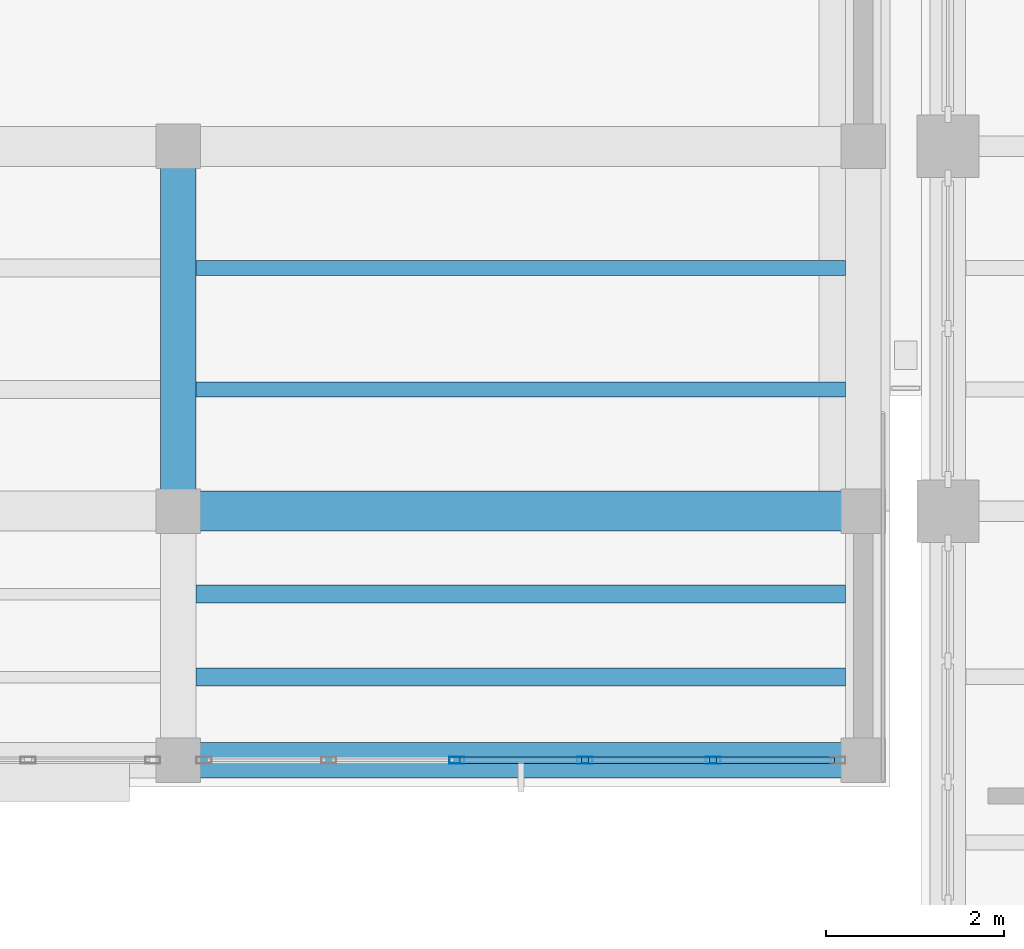
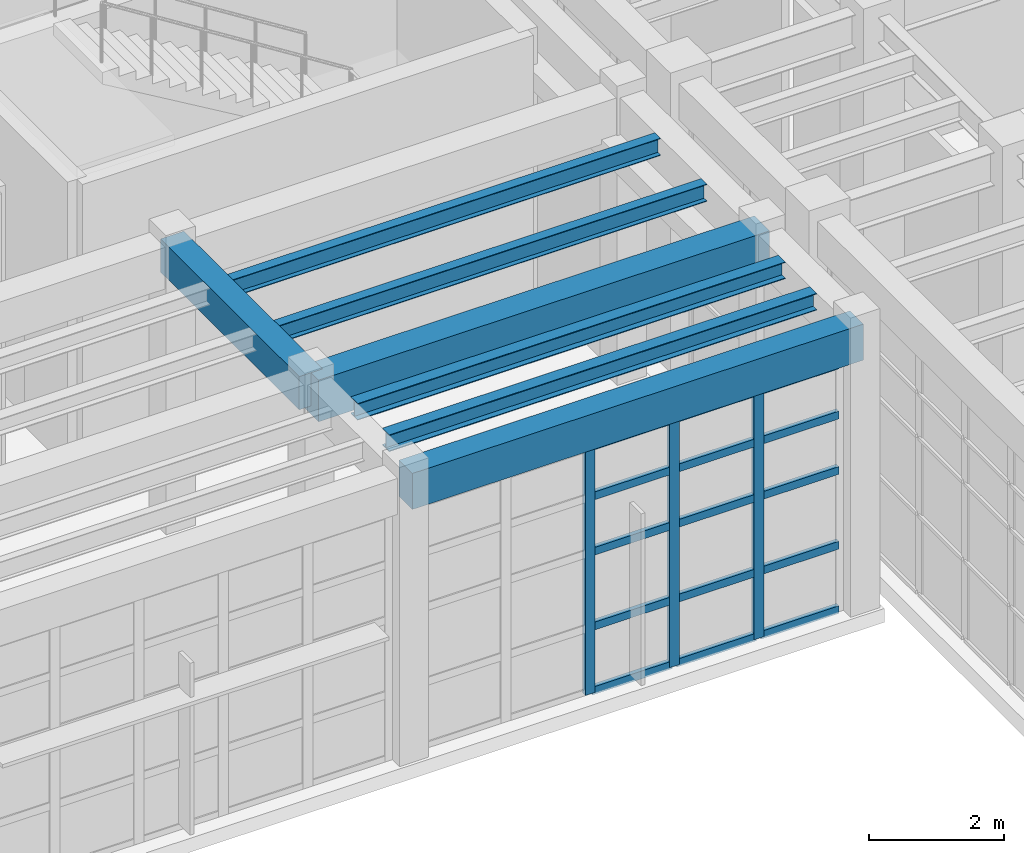
# One storey, part 30 of 103: 18 members, 7 beams, 1 element without a shape of its own.
"""IFC4 building model written with IfcOpenShell, lengths in metres."""

from ifc_helpers import new_model, si_unit, direction, frame, origin, origin_2d, place, context, subcontext, project, spatial, rectangle, hollow_rectangle, i_section, extrude, material, layer, layer_set, material_profile, profile_set, type_object, element, aggregate, save


model = new_model("IFC4")

# Units and contexts
model_context = context("Model", 3, precision=1e-05, world=origin(), true_north=direction((0.0, 1.0)))
body_context = subcontext(model_context, "Body", "Model", "MODEL_VIEW")
ifc_project = project(units=[si_unit("LENGTHUNIT", "METRE"), si_unit("AREAUNIT", "SQUARE_METRE"), si_unit("VOLUMEUNIT", "CUBIC_METRE"), si_unit("PLANEANGLEUNIT", "RADIAN"), si_unit("MASSUNIT", "GRAM", prefix="KILO")], contexts=[model_context])

# Site, building, storey
site_placement = place(None, origin())
site = spatial("IfcSite", under=ifc_project, at=site_placement, CompositionType="ELEMENT")
building_placement = place(site_placement, origin())
building = spatial("IfcBuilding", under=site, at=building_placement, Name="Candilejo Ridge Gondola Terminal", CompositionType="ELEMENT")
storey_placement = place(building_placement, frame((0.0, 0.0, 9.0)))
storey = spatial("IfcBuildingStorey", under=building, at=storey_placement, Name="L02", CompositionType="ELEMENT", Elevation=9.0)

# Curtain wall, members
ifc_material_1 = material(Name="Anodised aluminium AA 6063-T6", Category="aluminium")
ifc_layer = layer(ifc_material_1, 0.169921875)
ifc_layer_set = layer_set([ifc_layer], Name="ARC-CW-CONCOURSE-3600-720X449")
curtain_wall_type = type_object("IfcCurtainWallType", Name="ARC-CW-CONCOURSE-3600-720X449", PredefinedType="NOTDEFINED", material=ifc_layer_set)
curtain_wall_placement = place(storey_placement, origin())
curtain_wall = element("IfcCurtainWall", 1, at=curtain_wall_placement, inside=storey, type_object=curtain_wall_type, Name="Curtain wall V3 L02-093", PredefinedType="NOTDEFINED")
ifc_material_2 = material(Name="Anodised aluminium AA 6063-T6", Category="aluminium")
ifc_material_profile_1 = material_profile(ifc_material_2, hollow_rectangle(XDim=0.074951171875, YDim=0.169921875, WallThickness=0.00390625, at=origin_2d()))
ifc_profile_set_1 = profile_set([ifc_material_profile_1], Name="Anodised aluminium AA 6063-T6")
member_type_1 = type_object("IfcMemberType", Name="ARC-CW-MULLION", PredefinedType="MULLION", material=ifc_profile_set_1)
member_1_placement = place(storey_placement, frame((128.3798828125, 22.89990234375, 0.0), z_axis=(0.0, 0.0, 1.0), x_axis=(0.0, 1.0, 0.0)))
member_1 = element("IfcMember", 2, at=member_1_placement, type_object=member_type_1, Name="CW-72X44 mullion 3", PredefinedType="MULLION", context=body_context, shape_type="SweptSolid", body=[
    extrude(hollow_rectangle(XDim=0.074951171875, YDim=0.169921875, WallThickness=0.00390625, at=origin_2d()), origin(), (0.0, 0.0, 1.0), 4.489990234375),
])
member_2_placement = place(storey_placement, frame((129.820068359375, 22.89990234375, 0.0), z_axis=(0.0, 0.0, 1.0), x_axis=(0.0, 1.0, 0.0)))
member_2 = element("IfcMember", 3, at=member_2_placement, type_object=member_type_1, Name="CW-72X44 mullion 4", PredefinedType="MULLION", context=body_context, shape_type="SweptSolid", body=[
    extrude(hollow_rectangle(XDim=0.074951171875, YDim=0.169921875, WallThickness=0.00390625, at=origin_2d()), origin(), (0.0, 0.0, 1.0), 4.489990234375),
])
member_3_placement = place(storey_placement, frame((131.260009765625, 22.89990234375, 0.0), z_axis=(0.0, 0.0, 1.0), x_axis=(0.0, 1.0, 0.0)))
member_3 = element("IfcMember", 4, at=member_3_placement, type_object=member_type_1, Name="CW-72X44 mullion 5", PredefinedType="MULLION", context=body_context, shape_type="SweptSolid", body=[
    extrude(hollow_rectangle(XDim=0.074951171875, YDim=0.169921875, WallThickness=0.00390625, at=origin_2d()), origin(), (0.0, 0.0, 1.0), 4.489990234375),
])
ifc_material_3 = material(Name="Anodised aluminium AA 6063-T6", Category="aluminium")
ifc_material_profile_2 = material_profile(ifc_material_3, hollow_rectangle(XDim=0.074951171875, YDim=0.139892578125, WallThickness=0.00390625, at=origin_2d()))
ifc_profile_set_2 = profile_set([ifc_material_profile_2], Name="Anodised aluminium AA 6063-T6")
member_type_2 = type_object("IfcMemberType", Name="ARC-CW-TRANSOM", PredefinedType="USERDEFINED", material=ifc_profile_set_2)
member_4_placement = place(storey_placement, frame((128.41748046875, 22.89990234375, 0.03759765625), z_axis=(1.0, 0.0, 0.0), x_axis=(0.0, 1.0, 0.0)))
member_4 = element("IfcMember", 5, at=member_4_placement, type_object=member_type_2, Name="CW-72X44 transom 3.1", ObjectType="TRANSOM", PredefinedType="USERDEFINED", context=body_context, shape_type="SweptSolid", body=[
    extrude(hollow_rectangle(XDim=0.074951171875, YDim=0.139892578125, WallThickness=0.00390625, at=origin_2d()), origin(), (0.0, 0.0, 1.0), 1.364990234375),
])
member_5_placement = place(storey_placement, frame((128.41748046875, 22.89990234375, 1.199951171875), z_axis=(1.0, 0.0, 0.0), x_axis=(0.0, 1.0, 0.0)))
member_5 = element("IfcMember", 6, at=member_5_placement, type_object=member_type_2, Name="CW-72X44 transom 3.2", ObjectType="TRANSOM", PredefinedType="USERDEFINED", context=body_context, shape_type="SweptSolid", body=[
    extrude(hollow_rectangle(XDim=0.074951171875, YDim=0.139892578125, WallThickness=0.00390625, at=origin_2d()), origin(), (0.0, 0.0, 1.0), 1.364990234375),
])
member_6_placement = place(storey_placement, frame((128.41748046875, 22.89990234375, 2.550048828125), z_axis=(1.0, 0.0, 0.0), x_axis=(0.0, 1.0, 0.0)))
member_6 = element("IfcMember", 7, at=member_6_placement, type_object=member_type_2, Name="CW-72X44 transom 3.3", ObjectType="TRANSOM", PredefinedType="USERDEFINED", context=body_context, shape_type="SweptSolid", body=[
    extrude(hollow_rectangle(XDim=0.074951171875, YDim=0.139892578125, WallThickness=0.00390625, at=origin_2d()), origin(), (0.0, 0.0, 1.0), 1.364990234375),
])
member_7_placement = place(storey_placement, frame((128.41748046875, 22.89990234375, 3.550048828125), z_axis=(1.0, 0.0, 0.0), x_axis=(0.0, 1.0, 0.0)))
member_7 = element("IfcMember", 8, at=member_7_placement, type_object=member_type_2, Name="CW-72X44 transom 3.4", ObjectType="TRANSOM", PredefinedType="USERDEFINED", context=body_context, shape_type="SweptSolid", body=[
    extrude(hollow_rectangle(XDim=0.074951171875, YDim=0.139892578125, WallThickness=0.00390625, at=origin_2d()), origin(), (0.0, 0.0, 1.0), 1.364990234375),
])
member_8_placement = place(storey_placement, frame((128.41748046875, 22.89990234375, 4.452392578125), z_axis=(1.0, 0.0, 0.0), x_axis=(0.0, 1.0, 0.0)))
member_8 = element("IfcMember", 9, at=member_8_placement, type_object=member_type_2, Name="CW-72X44 transom 3.5", ObjectType="TRANSOM", PredefinedType="USERDEFINED", context=body_context, shape_type="SweptSolid", body=[
    extrude(hollow_rectangle(XDim=0.074951171875, YDim=0.139892578125, WallThickness=0.00390625, at=origin_2d()), origin(), (0.0, 0.0, 1.0), 1.364990234375),
])
member_9_placement = place(storey_placement, frame((129.857421875, 22.89990234375, 0.03759765625), z_axis=(1.0, 0.0, 0.0), x_axis=(0.0, 1.0, 0.0)))
member_9 = element("IfcMember", 10, at=member_9_placement, type_object=member_type_2, Name="CW-72X44 transom 4.1", ObjectType="TRANSOM", PredefinedType="USERDEFINED", context=body_context, shape_type="SweptSolid", body=[
    extrude(hollow_rectangle(XDim=0.074951171875, YDim=0.139892578125, WallThickness=0.00390625, at=origin_2d()), origin(), (0.0, 0.0, 1.0), 1.364990234375),
])
member_10_placement = place(storey_placement, frame((129.857421875, 22.89990234375, 1.199951171875), z_axis=(1.0, 0.0, 0.0), x_axis=(0.0, 1.0, 0.0)))
member_10 = element("IfcMember", 11, at=member_10_placement, type_object=member_type_2, Name="CW-72X44 transom 4.2", ObjectType="TRANSOM", PredefinedType="USERDEFINED", context=body_context, shape_type="SweptSolid", body=[
    extrude(hollow_rectangle(XDim=0.074951171875, YDim=0.139892578125, WallThickness=0.00390625, at=origin_2d()), origin(), (0.0, 0.0, 1.0), 1.364990234375),
])
member_11_placement = place(storey_placement, frame((129.857421875, 22.89990234375, 2.550048828125), z_axis=(1.0, 0.0, 0.0), x_axis=(0.0, 1.0, 0.0)))
member_11 = element("IfcMember", 12, at=member_11_placement, type_object=member_type_2, Name="CW-72X44 transom 4.3", ObjectType="TRANSOM", PredefinedType="USERDEFINED", context=body_context, shape_type="SweptSolid", body=[
    extrude(hollow_rectangle(XDim=0.074951171875, YDim=0.139892578125, WallThickness=0.00390625, at=origin_2d()), origin(), (0.0, 0.0, 1.0), 1.364990234375),
])
member_12_placement = place(storey_placement, frame((129.857421875, 22.89990234375, 3.550048828125), z_axis=(1.0, 0.0, 0.0), x_axis=(0.0, 1.0, 0.0)))
member_12 = element("IfcMember", 13, at=member_12_placement, type_object=member_type_2, Name="CW-72X44 transom 4.4", ObjectType="TRANSOM", PredefinedType="USERDEFINED", context=body_context, shape_type="SweptSolid", body=[
    extrude(hollow_rectangle(XDim=0.074951171875, YDim=0.139892578125, WallThickness=0.00390625, at=origin_2d()), origin(), (0.0, 0.0, 1.0), 1.364990234375),
])
member_13_placement = place(storey_placement, frame((129.857421875, 22.89990234375, 4.452392578125), z_axis=(1.0, 0.0, 0.0), x_axis=(0.0, 1.0, 0.0)))
member_13 = element("IfcMember", 14, at=member_13_placement, type_object=member_type_2, Name="CW-72X44 transom 4.5", ObjectType="TRANSOM", PredefinedType="USERDEFINED", context=body_context, shape_type="SweptSolid", body=[
    extrude(hollow_rectangle(XDim=0.074951171875, YDim=0.139892578125, WallThickness=0.00390625, at=origin_2d()), origin(), (0.0, 0.0, 1.0), 1.364990234375),
])
member_14_placement = place(storey_placement, frame((131.297607421875, 22.89990234375, 0.03759765625), z_axis=(1.0, 0.0, 0.0), x_axis=(0.0, 1.0, 0.0)))
member_14 = element("IfcMember", 15, at=member_14_placement, type_object=member_type_2, Name="CW-72X44 transom 5.1", ObjectType="TRANSOM", PredefinedType="USERDEFINED", context=body_context, shape_type="SweptSolid", body=[
    extrude(hollow_rectangle(XDim=0.074951171875, YDim=0.139892578125, WallThickness=0.00390625, at=origin_2d()), origin(), (0.0, 0.0, 1.0), 1.327392578125),
])
member_15_placement = place(storey_placement, frame((131.297607421875, 22.89990234375, 1.199951171875), z_axis=(1.0, 0.0, 0.0), x_axis=(0.0, 1.0, 0.0)))
member_15 = element("IfcMember", 16, at=member_15_placement, type_object=member_type_2, Name="CW-72X44 transom 5.2", ObjectType="TRANSOM", PredefinedType="USERDEFINED", context=body_context, shape_type="SweptSolid", body=[
    extrude(hollow_rectangle(XDim=0.074951171875, YDim=0.139892578125, WallThickness=0.00390625, at=origin_2d()), origin(), (0.0, 0.0, 1.0), 1.327392578125),
])
member_16_placement = place(storey_placement, frame((131.297607421875, 22.89990234375, 2.550048828125), z_axis=(1.0, 0.0, 0.0), x_axis=(0.0, 1.0, 0.0)))
member_16 = element("IfcMember", 17, at=member_16_placement, type_object=member_type_2, Name="CW-72X44 transom 5.3", ObjectType="TRANSOM", PredefinedType="USERDEFINED", context=body_context, shape_type="SweptSolid", body=[
    extrude(hollow_rectangle(XDim=0.074951171875, YDim=0.139892578125, WallThickness=0.00390625, at=origin_2d()), origin(), (0.0, 0.0, 1.0), 1.327392578125),
])
member_17_placement = place(storey_placement, frame((131.297607421875, 22.89990234375, 3.550048828125), z_axis=(1.0, 0.0, 0.0), x_axis=(0.0, 1.0, 0.0)))
member_17 = element("IfcMember", 18, at=member_17_placement, type_object=member_type_2, Name="CW-72X44 transom 5.4", ObjectType="TRANSOM", PredefinedType="USERDEFINED", context=body_context, shape_type="SweptSolid", body=[
    extrude(hollow_rectangle(XDim=0.074951171875, YDim=0.139892578125, WallThickness=0.00390625, at=origin_2d()), origin(), (0.0, 0.0, 1.0), 1.327392578125),
])
member_18_placement = place(storey_placement, frame((131.297607421875, 22.89990234375, 4.452392578125), z_axis=(1.0, 0.0, 0.0), x_axis=(0.0, 1.0, 0.0)))
member_18 = element("IfcMember", 19, at=member_18_placement, type_object=member_type_2, Name="CW-72X44 transom 5.5", ObjectType="TRANSOM", PredefinedType="USERDEFINED", context=body_context, shape_type="SweptSolid", body=[
    extrude(hollow_rectangle(XDim=0.074951171875, YDim=0.139892578125, WallThickness=0.00390625, at=origin_2d()), origin(), (0.0, 0.0, 1.0), 1.327392578125),
])
aggregate(curtain_wall, [member_1, member_2, member_3, member_4, member_5, member_6, member_7, member_8, member_9, member_10, member_11, member_12, member_13, member_14, member_15, member_16, member_17, member_18])

# Beams
ifc_material_4 = material(Name="Concrete f'c 35 MPa (C35/45)", Category="concrete")
ifc_material_profile_3 = material_profile(ifc_material_4, rectangle(XDim=0.39990234375, YDim=0.60009765625, at=origin_2d()))
ifc_profile_set_3 = profile_set([ifc_material_profile_3], Name="Concrete f'c 35 MPa (C35/45)")
beam_type_1 = type_object("IfcBeamType", Name="STR-BM-RC400X600", PredefinedType="BEAM", material=ifc_profile_set_3)
beam_1_placement = place(storey_placement, frame((125.25, 25.699951171875, 4.875), z_axis=(0.0, 1.0, 0.0), x_axis=(-1.0, 0.0, 0.0)))
element("IfcBeam", 20, at=beam_1_placement, inside=storey, type_object=beam_type_1, Name="Beam Y V3 L02 Y05-Y06@X19", PredefinedType="BEAM", context=body_context, shape_type="SweptSolid", body=[
    extrude(rectangle(XDim=0.39990234375, YDim=0.60009765625, at=origin_2d()), origin(), (0.0, 0.0, 1.0), 4.10009765625),
])
ifc_material_5 = material(Name="Concrete f'c 35 MPa (C35/45)", Category="concrete")
ifc_material_profile_4 = material_profile(ifc_material_5, rectangle(XDim=0.449951171875, YDim=0.75, at=origin_2d()))
ifc_profile_set_4 = profile_set([ifc_material_profile_4], Name="Concrete f'c 35 MPa (C35/45)")
beam_type_2 = type_object("IfcBeamType", Name="STR-BM-RC450X750", PredefinedType="BEAM", material=ifc_profile_set_4)
beam_2_placement = place(storey_placement, frame((125.25, 25.699951171875, 4.800048828125), z_axis=(1.0, 0.0, 0.0), x_axis=(0.0, 1.0, 0.0)))
element("IfcBeam", 21, at=beam_2_placement, inside=storey, type_object=beam_type_2, Name="Beam X V3 L02 X19-X20@Y05", PredefinedType="BEAM", context=body_context, shape_type="SweptSolid", body=[
    extrude(rectangle(XDim=0.449951171875, YDim=0.75, at=origin_2d()), origin(), (0.0, 0.0, 1.0), 7.699951171875),
])
ifc_material_6 = material(Name="Steel ASTM A992 Grade 50", Category="steel")
ifc_material_profile_5 = material_profile(ifc_material_6, i_section(OverallWidth=0.166015625, OverallDepth=0.31298828125, WebThickness=0.006591796875, FlangeThickness=0.01123046875, at=origin_2d()))
ifc_profile_set_5 = profile_set([ifc_material_profile_5], Name="Steel ASTM A992 Grade 50")
beam_type_3 = type_object("IfcBeamType", Name="STR-JST-W310X44", PredefinedType="JOIST", material=ifc_profile_set_5)
for number, where, z_axis, x_axis, name in (
    (22, (125.449951171875, 27.066650390625, 5.0185546875), (1.0, 0.0, 0.0), (0.0, 1.0, 0.0), "Composite joist V3 L02-0580"),
    (23, (125.449951171875, 28.433349609375, 5.0185546875), (1.0, 0.0, 0.0), (0.0, 1.0, 0.0), "Composite joist V3 L02-0581"),
):
    element("IfcBeam", number, at=place(storey_placement, frame(where, z_axis=z_axis, x_axis=x_axis)), inside=storey, type_object=beam_type_3, Name=name, PredefinedType="JOIST", context=body_context, shape_type="SweptSolid", body=[
        extrude(i_section(OverallWidth=0.166015625, OverallDepth=0.31298828125, WebThickness=0.006591796875, FlangeThickness=0.01123046875, at=origin_2d()), origin(), (0.0, 0.0, 1.0), 7.300048828125),
    ])
ifc_material_7 = material(Name="Steel ASTM A992 Grade 50", Category="steel")
ifc_material_profile_6 = material_profile(ifc_material_7, i_section(OverallWidth=0.202880859375, OverallDepth=0.302978515625, WebThickness=0.007568359375, FlangeThickness=0.01318359375, at=origin_2d()))
ifc_profile_set_6 = profile_set([ifc_material_profile_6], Name="Steel ASTM A992 Grade 50")
beam_type_4 = type_object("IfcBeamType", Name="STR-JST-W310X60", PredefinedType="JOIST", material=ifc_profile_set_6)
for number, where, z_axis, x_axis, name in (
    (24, (125.449951171875, 23.833251953125, 5.0234375), (1.0, 0.0, 0.0), (0.0, 1.0, 0.0), "Composite joist V3 L02-0578"),
    (25, (125.449951171875, 24.7666015625, 5.0234375), (1.0, 0.0, 0.0), (0.0, 1.0, 0.0), "Composite joist V3 L02-0579"),
):
    element("IfcBeam", number, at=place(storey_placement, frame(where, z_axis=z_axis, x_axis=x_axis)), inside=storey, type_object=beam_type_4, Name=name, PredefinedType="JOIST", context=body_context, shape_type="SweptSolid", body=[
        extrude(i_section(OverallWidth=0.202880859375, OverallDepth=0.302978515625, WebThickness=0.007568359375, FlangeThickness=0.01318359375, at=origin_2d()), origin(), (0.0, 0.0, 1.0), 7.300048828125),
    ])
ifc_material_8 = material(Name="Concrete f'c 35 MPa (C35/45)", Category="concrete")
ifc_material_profile_7 = material_profile(ifc_material_8, rectangle(XDim=0.39990234375, YDim=0.64990234375, at=origin_2d()))
ifc_profile_set_7 = profile_set([ifc_material_profile_7], Name="Concrete f'c 35 MPa (C35/45)")
beam_type_5 = type_object("IfcBeamType", Name="STR-SPN-RC400X650", PredefinedType="SPANDREL", material=ifc_profile_set_7)
beam_3_placement = place(storey_placement, frame((125.25, 22.89990234375, 4.85009765625), z_axis=(1.0, 0.0, 0.0), x_axis=(0.0, 1.0, 0.0)))
element("IfcBeam", 26, at=beam_3_placement, inside=storey, type_object=beam_type_5, Name="Beam X V3 L02 X19-X20@Y04", PredefinedType="SPANDREL", context=body_context, shape_type="SweptSolid", body=[
    extrude(rectangle(XDim=0.39990234375, YDim=0.64990234375, at=origin_2d()), origin(), (0.0, 0.0, 1.0), 7.699951171875),
])

save(model, "model.ifc")
